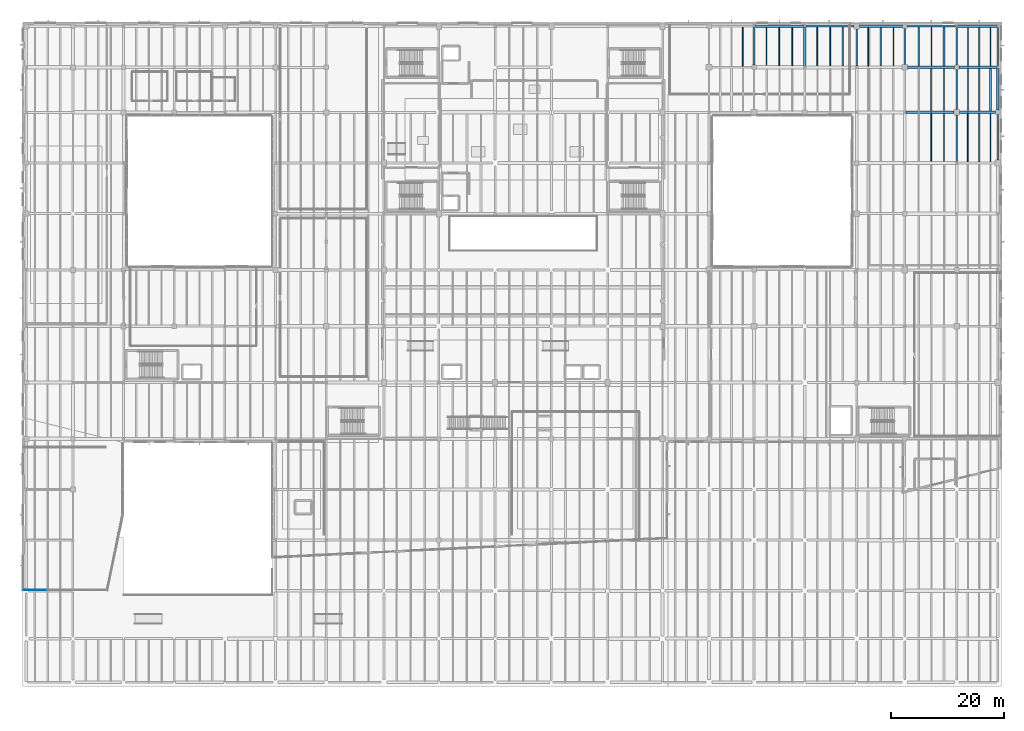
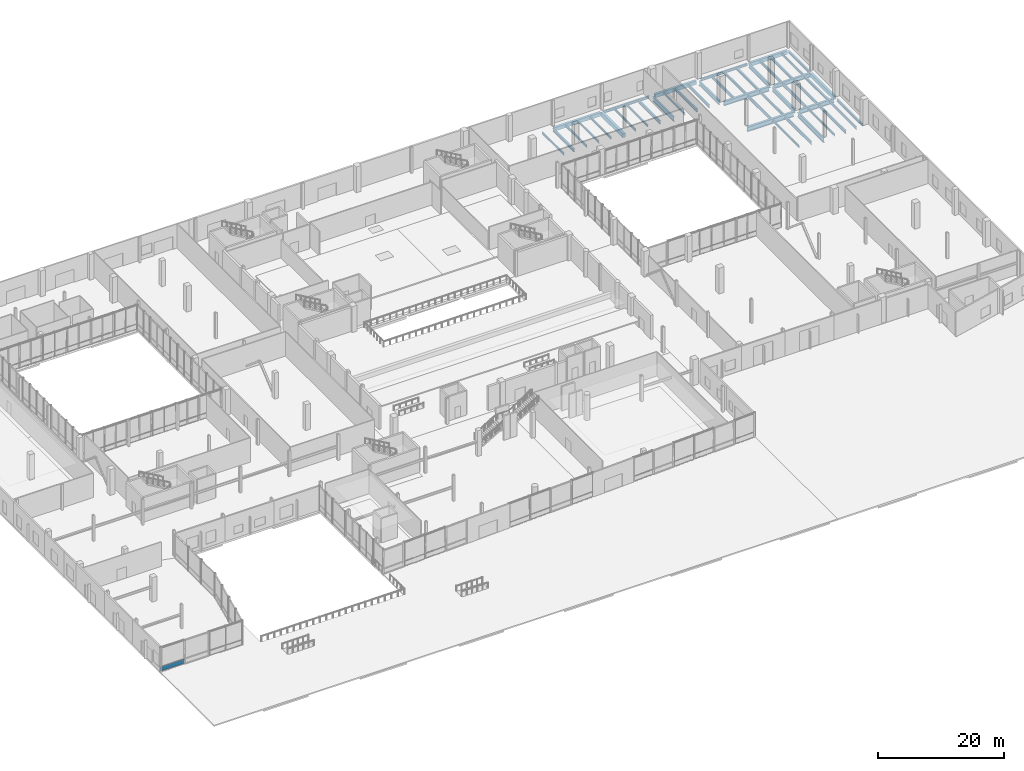
# One storey, part 59 of 88: 45 beams, 1 plate, 1 element without a shape of its own.
"""IFC4 building model written with IfcOpenShell, lengths in metres."""

from ifc_helpers import new_model, si_unit, direction, frame, origin, origin_2d, place, context, subcontext, project, spatial, rectangle, i_section, extrude, material, layer, layer_set, material_profile, profile_set, type_object, element, aggregate, save


model = new_model("IFC4")

# Units and contexts
model_context = context("Model", 3, precision=1e-05, world=origin(), true_north=direction((0.0, 1.0)))
body_context = subcontext(model_context, "Body", "Model", "MODEL_VIEW")
ifc_project = project(units=[si_unit("LENGTHUNIT", "METRE"), si_unit("AREAUNIT", "SQUARE_METRE"), si_unit("VOLUMEUNIT", "CUBIC_METRE"), si_unit("PLANEANGLEUNIT", "RADIAN"), si_unit("MASSUNIT", "GRAM", prefix="KILO")], contexts=[model_context])

# Site, building, storey
site_placement = place(None, origin())
site = spatial("IfcSite", under=ifc_project, at=site_placement, CompositionType="ELEMENT")
building_placement = place(site_placement, origin())
building = spatial("IfcBuilding", under=site, at=building_placement, Name="Trimount Lyric Opera House", CompositionType="ELEMENT")
storey_placement = place(building_placement, origin())
storey = spatial("IfcBuildingStorey", under=building, at=storey_placement, Name="L00", CompositionType="ELEMENT", Elevation=0.0)

# Beams
ifc_material_1 = material(Name="Steel ASTM A992 Grade 50", Category="steel")
ifc_material_profile_1 = material_profile(ifc_material_1, i_section(OverallWidth=0.4189453125, OverallDepth=0.927001953125, WebThickness=0.019287109375, FlangeThickness=0.031982421875, FilletRadius=0.02392578125, at=origin_2d()), Name="W36X231")
ifc_profile_set_1 = profile_set([ifc_material_profile_1], Name="Steel ASTM A992 Grade 50")
beam_type_1 = type_object("IfcBeamType", Name="B-02", PredefinedType="BEAM", material=ifc_profile_set_1)
beam_1_placement = place(storey_placement, frame((156.95947265625, 102.0, -0.843505859375), z_axis=(1.0, 0.0, 0.0), x_axis=(0.0, 1.0, 0.0)))
element("IfcBeam", 1, at=beam_1_placement, inside=storey, type_object=beam_type_1, Name="L00 girder X-0203", PredefinedType="BEAM", context=body_context, shape_type="SweptSolid", body=[
    extrude(i_section(OverallWidth=0.4189453125, OverallDepth=0.927001953125, WebThickness=0.019287109375, FlangeThickness=0.031982421875, FilletRadius=0.02392578125, at=origin_2d()), origin(), (0.0, 0.0, 1.0), 8.54052734375),
])
ifc_material_2 = material(Name="Steel ASTM A992 Grade 50", Category="steel")
ifc_material_profile_2 = material_profile(ifc_material_2, i_section(OverallWidth=0.304931640625, OverallDepth=0.9189453125, WebThickness=0.017333984375, FlangeThickness=0.02783203125, FilletRadius=0.02001953125, at=origin_2d()), Name="W36X170")
ifc_profile_set_2 = profile_set([ifc_material_profile_2], Name="Steel ASTM A992 Grade 50")
beam_type_2 = type_object("IfcBeamType", Name="B-03", PredefinedType="BEAM", material=ifc_profile_set_2)
beam_2_placement = place(storey_placement, frame((148.239990234375, 110.193115234375, -0.839599609375), z_axis=(0.0, 1.0, 0.0), x_axis=(-1.0, 0.0, 0.0)))
element("IfcBeam", 2, at=beam_2_placement, inside=storey, type_object=beam_type_2, Name="L00 girder Y-0426", PredefinedType="BEAM", context=body_context, shape_type="SweptSolid", body=[
    extrude(i_section(OverallWidth=0.304931640625, OverallDepth=0.9189453125, WebThickness=0.017333984375, FlangeThickness=0.02783203125, FilletRadius=0.02001953125, at=origin_2d()), origin(), (0.0, 0.0, 1.0), 6.5869140625),
])
beam_3_placement = place(storey_placement, frame((166.0, 93.193115234375, -0.839599609375), z_axis=(0.0, 1.0, 0.0), x_axis=(-1.0, 0.0, 0.0)))
element("IfcBeam", 3, at=beam_3_placement, inside=storey, type_object=beam_type_2, Name="L00 girder Y-0449", PredefinedType="BEAM", context=body_context, shape_type="SweptSolid", body=[
    extrude(i_section(OverallWidth=0.304931640625, OverallDepth=0.9189453125, WebThickness=0.017333984375, FlangeThickness=0.02783203125, FilletRadius=0.02001953125, at=origin_2d()), origin(), (0.0, 0.0, 1.0), 8.306884765625),
])
ifc_material_3 = material(Name="Steel ASTM A992 Grade 50", Category="steel")
ifc_material_profile_3 = material_profile(ifc_material_3, i_section(OverallWidth=0.40087890625, OverallDepth=0.861083984375, WebThickness=0.019775390625, FlangeThickness=0.032470703125, FilletRadius=0.02001953125, at=origin_2d()), Name="W33X221")
ifc_profile_set_3 = profile_set([ifc_material_profile_3], Name="Steel ASTM A992 Grade 50")
beam_type_3 = type_object("IfcBeamType", Name="B-04", PredefinedType="BEAM", material=ifc_profile_set_3)
beam_4_placement = place(storey_placement, frame((166.5, 102.0, -0.810546875), z_axis=(1.0, 0.0, 0.0), x_axis=(0.0, 1.0, 0.0)))
element("IfcBeam", 4, at=beam_4_placement, inside=storey, type_object=beam_type_3, Name="L00 girder X-0204", PredefinedType="BEAM", context=body_context, shape_type="SweptSolid", body=[
    extrude(i_section(OverallWidth=0.40087890625, OverallDepth=0.861083984375, WebThickness=0.019775390625, FlangeThickness=0.032470703125, FilletRadius=0.02001953125, at=origin_2d()), origin(), (0.0, 0.0, 1.0), 6.3798828125),
])
beam_5_placement = place(storey_placement, frame((157.260009765625, 110.0, -0.810546875), z_axis=(1.0, 0.0, 0.0), x_axis=(0.0, 1.0, 0.0)))
element("IfcBeam", 5, at=beam_5_placement, inside=storey, type_object=beam_type_3, Name="L00 girder X-0216", PredefinedType="BEAM", context=body_context, shape_type="SweptSolid", body=[
    extrude(i_section(OverallWidth=0.40087890625, OverallDepth=0.861083984375, WebThickness=0.019775390625, FlangeThickness=0.032470703125, FilletRadius=0.02001953125, at=origin_2d()), origin(), (0.0, 0.0, 1.0), 8.340087890625),
])
ifc_material_4 = material(Name="Steel ASTM A992 Grade 50", Category="steel")
ifc_material_profile_4 = material_profile(ifc_material_4, i_section(OverallWidth=0.2919921875, OverallDepth=0.845947265625, WebThickness=0.015380859375, FlangeThickness=0.0244140625, FilletRadius=0.01806640625, at=origin_2d()), Name="W33X141")
ifc_profile_set_4 = profile_set([ifc_material_profile_4], Name="Steel ASTM A992 Grade 50")
beam_type_4 = type_object("IfcBeamType", Name="B-05", PredefinedType="BEAM", material=ifc_profile_set_4)
beam_6_placement = place(storey_placement, frame((156.760009765625, 110.5, -0.802978515625), z_axis=(0.0, 1.0, 0.0), x_axis=(-1.0, 0.0, 0.0)))
element("IfcBeam", 6, at=beam_6_placement, inside=storey, type_object=beam_type_4, Name="L00 girder Y-0438", PredefinedType="BEAM", context=body_context, shape_type="SweptSolid", body=[
    extrude(i_section(OverallWidth=0.2919921875, OverallDepth=0.845947265625, WebThickness=0.015380859375, FlangeThickness=0.0244140625, FilletRadius=0.01806640625, at=origin_2d()), origin(), (0.0, 0.0, 1.0), 6.3798828125),
])
beam_7_placement = place(storey_placement, frame((166.0, 102.5, -0.802978515625), z_axis=(0.0, 1.0, 0.0), x_axis=(-1.0, 0.0, 0.0)))
element("IfcBeam", 7, at=beam_7_placement, inside=storey, type_object=beam_type_4, Name="L00 girder Y-0450", PredefinedType="BEAM", context=body_context, shape_type="SweptSolid", body=[
    extrude(i_section(OverallWidth=0.2919921875, OverallDepth=0.845947265625, WebThickness=0.015380859375, FlangeThickness=0.0244140625, FilletRadius=0.01806640625, at=origin_2d()), origin(), (0.0, 0.0, 1.0), 7.10009765625),
])
ifc_material_5 = material(Name="Steel ASTM A992 Grade 50", Category="steel")
ifc_material_profile_5 = material_profile(ifc_material_5, i_section(OverallWidth=0.382080078125, OverallDepth=0.779052734375, WebThickness=0.01806640625, FlangeThickness=0.0302734375, FilletRadius=0.01904296875, at=origin_2d()), Name="W30X191")
ifc_profile_set_5 = profile_set([ifc_material_profile_5], Name="Steel ASTM A992 Grade 50")
beam_type_5 = type_object("IfcBeamType", Name="B-06", PredefinedType="BEAM", material=ifc_profile_set_5)
beam_8_placement = place(storey_placement, frame((166.39990234375, 110.0, -0.76953125), z_axis=(1.0, 0.0, 0.0), x_axis=(0.0, 1.0, 0.0)))
element("IfcBeam", 8, at=beam_8_placement, inside=storey, type_object=beam_type_5, Name="L00 girder X-0217", PredefinedType="BEAM", context=body_context, shape_type="SweptSolid", body=[
    extrude(i_section(OverallWidth=0.382080078125, OverallDepth=0.779052734375, WebThickness=0.01806640625, FlangeThickness=0.0302734375, FilletRadius=0.01904296875, at=origin_2d()), origin(), (0.0, 0.0, 1.0), 6.693603515625),
])
ifc_material_6 = material(Name="Steel ASTM A992 Grade 50", Category="steel")
ifc_material_profile_6 = material_profile(ifc_material_6, i_section(OverallWidth=0.26708984375, OverallDepth=0.761962890625, WebThickness=0.014404296875, FlangeThickness=0.021484375, FilletRadius=0.01708984375, at=origin_2d()), Name="W30X116")
ifc_profile_set_6 = profile_set([ifc_material_profile_6], Name="Steel ASTM A992 Grade 50")
beam_type_6 = type_object("IfcBeamType", Name="B-07", PredefinedType="BEAM", material=ifc_profile_set_6)
beam_9_placement = place(storey_placement, frame((166.0, 110.39990234375, -0.760986328125), z_axis=(0.0, 1.0, 0.0), x_axis=(-1.0, 0.0, 0.0)))
element("IfcBeam", 9, at=beam_9_placement, inside=storey, type_object=beam_type_6, Name="L00 girder Y-0451", PredefinedType="BEAM", context=body_context, shape_type="SweptSolid", body=[
    extrude(i_section(OverallWidth=0.26708984375, OverallDepth=0.761962890625, WebThickness=0.014404296875, FlangeThickness=0.021484375, FilletRadius=0.01708984375, at=origin_2d()), origin(), (0.0, 0.0, 1.0), 6.696044921875),
])
ifc_material_7 = material(Name="Steel ASTM A992 Grade 50", Category="steel")
ifc_material_profile_7 = material_profile(ifc_material_7, i_section(OverallWidth=0.31201171875, OverallDepth=0.5458984375, WebThickness=0.013916015625, FlangeThickness=0.022216796875, FilletRadius=0.014892578125, at=origin_2d()), Name="W21X111")
ifc_profile_set_7 = profile_set([ifc_material_profile_7], Name="Steel ASTM A992 Grade 50")
beam_type_7 = type_object("IfcBeamType", Name="B-12", PredefinedType="BEAM", material=ifc_profile_set_7)
beam_10_placement = place(storey_placement, frame((130.0, 110.39990234375, -0.653076171875), z_axis=(0.0, 1.0, 0.0), x_axis=(-1.0, 0.0, 0.0)))
element("IfcBeam", 10, at=beam_10_placement, inside=storey, type_object=beam_type_7, Name="L00 girder Y-0403", PredefinedType="BEAM", context=body_context, shape_type="SweptSolid", body=[
    extrude(i_section(OverallWidth=0.31201171875, OverallDepth=0.5458984375, WebThickness=0.013916015625, FlangeThickness=0.022216796875, FilletRadius=0.014892578125, at=origin_2d()), origin(), (0.0, 0.0, 1.0), 6.696044921875),
])
ifc_material_8 = material(Name="Concrete C40/50", Category="concrete")
ifc_material_profile_8 = material_profile(ifc_material_8, rectangle(XDim=0.5, YDim=0.800048828125, at=origin_2d()), Name="RC500X800")
ifc_profile_set_8 = profile_set([ifc_material_profile_8], Name="Concrete C40/50")
beam_type_8 = type_object("IfcBeamType", Name="B-15", PredefinedType="BEAM", material=ifc_profile_set_8)
beam_11_placement = place(storey_placement, frame((139.0, 110.18408203125, -0.780029296875), z_axis=(0.0, 1.0, 0.0), x_axis=(-1.0, 0.0, 0.0)))
element("IfcBeam", 11, at=beam_11_placement, inside=storey, type_object=beam_type_8, Name="L00 girder Y-0413", PredefinedType="BEAM", context=body_context, shape_type="SweptSolid", body=[
    extrude(rectangle(XDim=0.5, YDim=0.800048828125, at=origin_2d()), origin(), (0.0, 0.0, 1.0), 6.90283203125),
])
ifc_material_9 = material(Name="Steel ASTM A992 Grade 50", Category="steel")
ifc_material_profile_9 = material_profile(ifc_material_9, i_section(OverallWidth=0.22802734375, OverallDepth=0.60205078125, WebThickness=0.010498046875, FlangeThickness=0.014892578125, FilletRadius=0.012939453125, at=origin_2d()), Name="W24X68")
ifc_profile_set_9 = profile_set([ifc_material_profile_9], Name="Steel ASTM A992 Grade 50")
beam_type_9 = type_object("IfcBeamType", Name="J-01", PredefinedType="BEAM", material=ifc_profile_set_9)
beam_12_placement = place(storey_placement, frame((145.75, 110.27099609375, -0.680908203125), z_axis=(0.0, 1.0, 0.0), x_axis=(-1.0, 0.0, 0.0)))
element("IfcBeam", 12, at=beam_12_placement, inside=storey, type_object=beam_type_9, Name="L00 composite floor joist 0457", PredefinedType="BEAM", context=body_context, shape_type="SweptSolid", body=[
    extrude(i_section(OverallWidth=0.22802734375, OverallDepth=0.60205078125, WebThickness=0.010498046875, FlangeThickness=0.014892578125, FilletRadius=0.012939453125, at=origin_2d()), origin(), (0.0, 0.0, 1.0), 6.8720703125),
])
beam_13_placement = place(storey_placement, frame((152.5, 110.20556640625, -0.680908203125), z_axis=(0.0, 1.0, 0.0), x_axis=(-1.0, 0.0, 0.0)))
element("IfcBeam", 13, at=beam_13_placement, inside=storey, type_object=beam_type_9, Name="L00 composite floor joist 0492", PredefinedType="BEAM", context=body_context, shape_type="SweptSolid", body=[
    extrude(i_section(OverallWidth=0.22802734375, OverallDepth=0.60205078125, WebThickness=0.010498046875, FlangeThickness=0.014892578125, FilletRadius=0.012939453125, at=origin_2d()), origin(), (0.0, 0.0, 1.0), 6.853515625),
])
beam_14_placement = place(storey_placement, frame((163.75, 93.27099609375, -0.680908203125), z_axis=(0.0, 1.0, 0.0), x_axis=(-1.0, 0.0, 0.0)))
element("IfcBeam", 14, at=beam_14_placement, inside=storey, type_object=beam_type_9, Name="L00 composite floor joist 0526", PredefinedType="BEAM", context=body_context, shape_type="SweptSolid", body=[
    extrude(i_section(OverallWidth=0.22802734375, OverallDepth=0.60205078125, WebThickness=0.010498046875, FlangeThickness=0.014892578125, FilletRadius=0.012939453125, at=origin_2d()), origin(), (0.0, 0.0, 1.0), 8.5234375),
])
beam_15_placement = place(storey_placement, frame((161.5, 102.20556640625, -0.680908203125), z_axis=(0.0, 1.0, 0.0), x_axis=(-1.0, 0.0, 0.0)))
element("IfcBeam", 15, at=beam_15_placement, inside=storey, type_object=beam_type_9, Name="L00 composite floor joist 0528", PredefinedType="BEAM", context=body_context, shape_type="SweptSolid", body=[
    extrude(i_section(OverallWidth=0.22802734375, OverallDepth=0.60205078125, WebThickness=0.010498046875, FlangeThickness=0.014892578125, FilletRadius=0.012939453125, at=origin_2d()), origin(), (0.0, 0.0, 1.0), 7.597900390625),
])
beam_16_placement = place(storey_placement, frame((159.25, 110.196533203125, -0.680908203125), z_axis=(0.0, 1.0, 0.0), x_axis=(-1.0, 0.0, 0.0)))
element("IfcBeam", 16, at=beam_16_placement, inside=storey, type_object=beam_type_9, Name="L00 composite floor joist 0530", PredefinedType="BEAM", context=body_context, shape_type="SweptSolid", body=[
    extrude(i_section(OverallWidth=0.22802734375, OverallDepth=0.60205078125, WebThickness=0.010498046875, FlangeThickness=0.014892578125, FilletRadius=0.012939453125, at=origin_2d()), origin(), (0.0, 0.0, 1.0), 6.946533203125),
])
beam_17_placement = place(storey_placement, frame((170.0, 93.20556640625, -0.680908203125), z_axis=(0.0, 1.0, 0.0), x_axis=(-1.0, 0.0, 0.0)))
element("IfcBeam", 17, at=beam_17_placement, inside=storey, type_object=beam_type_9, Name="L00 composite floor joist 0564", PredefinedType="BEAM", context=body_context, shape_type="SweptSolid", body=[
    extrude(i_section(OverallWidth=0.22802734375, OverallDepth=0.60205078125, WebThickness=0.010498046875, FlangeThickness=0.014892578125, FilletRadius=0.012939453125, at=origin_2d()), origin(), (0.0, 0.0, 1.0), 8.597900390625),
])
beam_18_placement = place(storey_placement, frame((168.0, 102.196533203125, -0.680908203125), z_axis=(0.0, 1.0, 0.0), x_axis=(-1.0, 0.0, 0.0)))
element("IfcBeam", 18, at=beam_18_placement, inside=storey, type_object=beam_type_9, Name="L00 composite floor joist 0566", PredefinedType="BEAM", context=body_context, shape_type="SweptSolid", body=[
    extrude(i_section(OverallWidth=0.22802734375, OverallDepth=0.60205078125, WebThickness=0.010498046875, FlangeThickness=0.014892578125, FilletRadius=0.012939453125, at=origin_2d()), origin(), (0.0, 0.0, 1.0), 7.616455078125),
])
ifc_material_10 = material(Name="Steel ASTM A992 Grade 50", Category="steel")
ifc_material_profile_10 = material_profile(ifc_material_10, i_section(OverallWidth=0.2099609375, OverallDepth=0.532958984375, WebThickness=0.01025390625, FlangeThickness=0.015625, FilletRadius=0.012939453125, at=origin_2d()), Name="W21X62")
ifc_profile_set_10 = profile_set([ifc_material_profile_10], Name="Steel ASTM A992 Grade 50")
beam_type_10 = type_object("IfcBeamType", Name="J-02", PredefinedType="BEAM", material=ifc_profile_set_10)
beam_19_placement = place(storey_placement, frame((154.75, 110.20556640625, -0.646484375), z_axis=(0.0, 1.0, 0.0), x_axis=(-1.0, 0.0, 0.0)))
element("IfcBeam", 19, at=beam_19_placement, inside=storey, type_object=beam_type_10, Name="L00 composite floor joist 0493", PredefinedType="BEAM", context=body_context, shape_type="SweptSolid", body=[
    extrude(i_section(OverallWidth=0.2099609375, OverallDepth=0.532958984375, WebThickness=0.01025390625, FlangeThickness=0.015625, FilletRadius=0.012939453125, at=origin_2d()), origin(), (0.0, 0.0, 1.0), 6.853515625),
])
beam_20_placement = place(storey_placement, frame((163.75, 102.20556640625, -0.646484375), z_axis=(0.0, 1.0, 0.0), x_axis=(-1.0, 0.0, 0.0)))
element("IfcBeam", 20, at=beam_20_placement, inside=storey, type_object=beam_type_10, Name="L00 composite floor joist 0529", PredefinedType="BEAM", context=body_context, shape_type="SweptSolid", body=[
    extrude(i_section(OverallWidth=0.2099609375, OverallDepth=0.532958984375, WebThickness=0.01025390625, FlangeThickness=0.015625, FilletRadius=0.012939453125, at=origin_2d()), origin(), (0.0, 0.0, 1.0), 7.597900390625),
])
beam_21_placement = place(storey_placement, frame((161.5, 110.196533203125, -0.646484375), z_axis=(0.0, 1.0, 0.0), x_axis=(-1.0, 0.0, 0.0)))
element("IfcBeam", 21, at=beam_21_placement, inside=storey, type_object=beam_type_10, Name="L00 composite floor joist 0531", PredefinedType="BEAM", context=body_context, shape_type="SweptSolid", body=[
    extrude(i_section(OverallWidth=0.2099609375, OverallDepth=0.532958984375, WebThickness=0.01025390625, FlangeThickness=0.015625, FilletRadius=0.012939453125, at=origin_2d()), origin(), (0.0, 0.0, 1.0), 6.946533203125),
])
beam_22_placement = place(storey_placement, frame((172.0, 93.20556640625, -0.646484375), z_axis=(0.0, 1.0, 0.0), x_axis=(-1.0, 0.0, 0.0)))
element("IfcBeam", 22, at=beam_22_placement, inside=storey, type_object=beam_type_10, Name="L00 composite floor joist 0565", PredefinedType="BEAM", context=body_context, shape_type="SweptSolid", body=[
    extrude(i_section(OverallWidth=0.2099609375, OverallDepth=0.532958984375, WebThickness=0.01025390625, FlangeThickness=0.015625, FilletRadius=0.012939453125, at=origin_2d()), origin(), (0.0, 0.0, 1.0), 8.597900390625),
])
beam_23_placement = place(storey_placement, frame((170.0, 102.196533203125, -0.646484375), z_axis=(0.0, 1.0, 0.0), x_axis=(-1.0, 0.0, 0.0)))
element("IfcBeam", 23, at=beam_23_placement, inside=storey, type_object=beam_type_10, Name="L00 composite floor joist 0567", PredefinedType="BEAM", context=body_context, shape_type="SweptSolid", body=[
    extrude(i_section(OverallWidth=0.2099609375, OverallDepth=0.532958984375, WebThickness=0.01025390625, FlangeThickness=0.015625, FilletRadius=0.012939453125, at=origin_2d()), origin(), (0.0, 0.0, 1.0), 7.616455078125),
])
beam_24_placement = place(storey_placement, frame((168.0, 110.18701171875, -0.646484375), z_axis=(0.0, 1.0, 0.0), x_axis=(-1.0, 0.0, 0.0)))
element("IfcBeam", 24, at=beam_24_placement, inside=storey, type_object=beam_type_10, Name="L00 composite floor joist 0569", PredefinedType="BEAM", context=body_context, shape_type="SweptSolid", body=[
    extrude(i_section(OverallWidth=0.2099609375, OverallDepth=0.532958984375, WebThickness=0.01025390625, FlangeThickness=0.015625, FilletRadius=0.012939453125, at=origin_2d()), origin(), (0.0, 0.0, 1.0), 6.8720703125),
])
ifc_material_11 = material(Name="Steel ASTM A992 Grade 50", Category="steel")
ifc_material_profile_11 = material_profile(ifc_material_11, i_section(OverallWidth=0.281982421875, OverallDepth=0.467041015625, WebThickness=0.01220703125, FlangeThickness=0.01953125, FilletRadius=0.012939453125, at=origin_2d()), Name="W18X86")
ifc_profile_set_11 = profile_set([ifc_material_profile_11], Name="Steel ASTM A992 Grade 50")
beam_type_11 = type_object("IfcBeamType", Name="J-03", PredefinedType="BEAM", material=ifc_profile_set_11)
beam_25_placement = place(storey_placement, frame((163.75, 110.196533203125, -0.613525390625), z_axis=(0.0, 1.0, 0.0), x_axis=(-1.0, 0.0, 0.0)))
element("IfcBeam", 25, at=beam_25_placement, inside=storey, type_object=beam_type_11, Name="L00 composite floor joist 0532", PredefinedType="BEAM", context=body_context, shape_type="SweptSolid", body=[
    extrude(i_section(OverallWidth=0.281982421875, OverallDepth=0.467041015625, WebThickness=0.01220703125, FlangeThickness=0.01953125, FilletRadius=0.012939453125, at=origin_2d()), origin(), (0.0, 0.0, 1.0), 6.946533203125),
])
beam_26_placement = place(storey_placement, frame((172.0, 102.196533203125, -0.613525390625), z_axis=(0.0, 1.0, 0.0), x_axis=(-1.0, 0.0, 0.0)))
element("IfcBeam", 26, at=beam_26_placement, inside=storey, type_object=beam_type_11, Name="L00 composite floor joist 0568", PredefinedType="BEAM", context=body_context, shape_type="SweptSolid", body=[
    extrude(i_section(OverallWidth=0.281982421875, OverallDepth=0.467041015625, WebThickness=0.01220703125, FlangeThickness=0.01953125, FilletRadius=0.012939453125, at=origin_2d()), origin(), (0.0, 0.0, 1.0), 7.616455078125),
])
beam_27_placement = place(storey_placement, frame((170.0, 110.18701171875, -0.613525390625), z_axis=(0.0, 1.0, 0.0), x_axis=(-1.0, 0.0, 0.0)))
element("IfcBeam", 27, at=beam_27_placement, inside=storey, type_object=beam_type_11, Name="L00 composite floor joist 0570", PredefinedType="BEAM", context=body_context, shape_type="SweptSolid", body=[
    extrude(i_section(OverallWidth=0.281982421875, OverallDepth=0.467041015625, WebThickness=0.01220703125, FlangeThickness=0.01953125, FilletRadius=0.012939453125, at=origin_2d()), origin(), (0.0, 0.0, 1.0), 6.8720703125),
])
ifc_material_12 = material(Name="Steel ASTM A992 Grade 50", Category="steel")
ifc_material_profile_12 = material_profile(ifc_material_12, i_section(OverallWidth=0.19091796875, OverallDepth=0.45703125, WebThickness=0.009033203125, FlangeThickness=0.014404296875, FilletRadius=0.010986328125, at=origin_2d()), Name="W18X50")
ifc_profile_set_12 = profile_set([ifc_material_profile_12], Name="Steel ASTM A992 Grade 50")
beam_type_12 = type_object("IfcBeamType", Name="J-04", PredefinedType="BEAM", material=ifc_profile_set_12)
beam_28_placement = place(storey_placement, frame((132.25, 110.2958984375, -0.6083984375), z_axis=(0.0, 1.0, 0.0), x_axis=(-1.0, 0.0, 0.0)))
element("IfcBeam", 28, at=beam_28_placement, inside=storey, type_object=beam_type_12, Name="L00 composite floor joist 0426", PredefinedType="BEAM", context=body_context, shape_type="SweptSolid", body=[
    extrude(i_section(OverallWidth=0.19091796875, OverallDepth=0.45703125, WebThickness=0.009033203125, FlangeThickness=0.014404296875, FilletRadius=0.010986328125, at=origin_2d()), origin(), (0.0, 0.0, 1.0), 6.76318359375),
])
beam_29_placement = place(storey_placement, frame((172.0, 110.18701171875, -0.6083984375), z_axis=(0.0, 1.0, 0.0), x_axis=(-1.0, 0.0, 0.0)))
element("IfcBeam", 29, at=beam_29_placement, inside=storey, type_object=beam_type_12, Name="L00 composite floor joist 0571", PredefinedType="BEAM", context=body_context, shape_type="SweptSolid", body=[
    extrude(i_section(OverallWidth=0.19091796875, OverallDepth=0.45703125, WebThickness=0.009033203125, FlangeThickness=0.014404296875, FilletRadius=0.010986328125, at=origin_2d()), origin(), (0.0, 0.0, 1.0), 6.8720703125),
])
ifc_material_13 = material(Name="Steel ASTM A992 Grade 50", Category="steel")
ifc_material_profile_13 = material_profile(ifc_material_13, i_section(OverallWidth=0.180908203125, OverallDepth=0.4169921875, WebThickness=0.010986328125, FlangeThickness=0.018310546875, FilletRadius=0.010986328125, at=origin_2d()), Name="W16X57")
ifc_profile_set_13 = profile_set([ifc_material_profile_13], Name="Steel ASTM A992 Grade 50")
beam_type_13 = type_object("IfcBeamType", Name="J-05", PredefinedType="BEAM", material=ifc_profile_set_13)
beam_30_placement = place(storey_placement, frame((128.0, 110.159912109375, -0.58837890625), z_axis=(0.0, 1.0, 0.0), x_axis=(-1.0, 0.0, 0.0)))
element("IfcBeam", 30, at=beam_30_placement, inside=storey, type_object=beam_type_13, Name="L00 composite floor joist 0398", PredefinedType="BEAM", context=body_context, shape_type="SweptSolid", body=[
    extrude(i_section(OverallWidth=0.180908203125, OverallDepth=0.4169921875, WebThickness=0.010986328125, FlangeThickness=0.018310546875, FilletRadius=0.010986328125, at=origin_2d()), origin(), (0.0, 0.0, 1.0), 6.983154296875),
])
beam_31_placement = place(storey_placement, frame((134.5, 110.2958984375, -0.58837890625), z_axis=(0.0, 1.0, 0.0), x_axis=(-1.0, 0.0, 0.0)))
element("IfcBeam", 31, at=beam_31_placement, inside=storey, type_object=beam_type_13, Name="L00 composite floor joist 0427", PredefinedType="BEAM", context=body_context, shape_type="SweptSolid", body=[
    extrude(i_section(OverallWidth=0.180908203125, OverallDepth=0.4169921875, WebThickness=0.010986328125, FlangeThickness=0.018310546875, FilletRadius=0.010986328125, at=origin_2d()), origin(), (0.0, 0.0, 1.0), 6.76318359375),
])
beam_32_placement = place(storey_placement, frame((141.25, 110.27099609375, -0.58837890625), z_axis=(0.0, 1.0, 0.0), x_axis=(-1.0, 0.0, 0.0)))
element("IfcBeam", 32, at=beam_32_placement, inside=storey, type_object=beam_type_13, Name="L00 composite floor joist 0455", PredefinedType="BEAM", context=body_context, shape_type="SweptSolid", body=[
    extrude(i_section(OverallWidth=0.180908203125, OverallDepth=0.4169921875, WebThickness=0.010986328125, FlangeThickness=0.018310546875, FilletRadius=0.010986328125, at=origin_2d()), origin(), (0.0, 0.0, 1.0), 6.8720703125),
])
ifc_material_14 = material(Name="Steel ASTM A992 Grade 50", Category="steel")
ifc_material_profile_14 = material_profile(ifc_material_14, i_section(OverallWidth=0.177978515625, OverallDepth=0.404052734375, WebThickness=0.007568359375, FlangeThickness=0.010986328125, FilletRadius=0.010009765625, at=origin_2d()), Name="W16X36")
ifc_profile_set_14 = profile_set([ifc_material_profile_14], Name="Steel ASTM A992 Grade 50")
beam_type_14 = type_object("IfcBeamType", Name="J-06", PredefinedType="BEAM", material=ifc_profile_set_14)
beam_33_placement = place(storey_placement, frame((136.75, 110.2958984375, -0.58203125), z_axis=(0.0, 1.0, 0.0), x_axis=(-1.0, 0.0, 0.0)))
element("IfcBeam", 33, at=beam_33_placement, inside=storey, type_object=beam_type_14, Name="L00 composite floor joist 0428", PredefinedType="BEAM", context=body_context, shape_type="SweptSolid", body=[
    extrude(i_section(OverallWidth=0.177978515625, OverallDepth=0.404052734375, WebThickness=0.007568359375, FlangeThickness=0.010986328125, FilletRadius=0.010009765625, at=origin_2d()), origin(), (0.0, 0.0, 1.0), 6.76318359375),
])
beam_34_placement = place(storey_placement, frame((143.5, 110.27099609375, -0.58203125), z_axis=(0.0, 1.0, 0.0), x_axis=(-1.0, 0.0, 0.0)))
element("IfcBeam", 34, at=beam_34_placement, inside=storey, type_object=beam_type_14, Name="L00 composite floor joist 0456", PredefinedType="BEAM", context=body_context, shape_type="SweptSolid", body=[
    extrude(i_section(OverallWidth=0.177978515625, OverallDepth=0.404052734375, WebThickness=0.007568359375, FlangeThickness=0.010986328125, FilletRadius=0.010009765625, at=origin_2d()), origin(), (0.0, 0.0, 1.0), 6.8720703125),
])
beam_35_placement = place(storey_placement, frame((150.25, 110.20556640625, -0.58203125), z_axis=(0.0, 1.0, 0.0), x_axis=(-1.0, 0.0, 0.0)))
element("IfcBeam", 35, at=beam_35_placement, inside=storey, type_object=beam_type_14, Name="L00 composite floor joist 0491", PredefinedType="BEAM", context=body_context, shape_type="SweptSolid", body=[
    extrude(i_section(OverallWidth=0.177978515625, OverallDepth=0.404052734375, WebThickness=0.007568359375, FlangeThickness=0.010986328125, FilletRadius=0.010009765625, at=origin_2d()), origin(), (0.0, 0.0, 1.0), 6.853515625),
])
beam_36_placement = place(storey_placement, frame((161.5, 93.27099609375, -0.58203125), z_axis=(0.0, 1.0, 0.0), x_axis=(-1.0, 0.0, 0.0)))
element("IfcBeam", 36, at=beam_36_placement, inside=storey, type_object=beam_type_14, Name="L00 composite floor joist 0525", PredefinedType="BEAM", context=body_context, shape_type="SweptSolid", body=[
    extrude(i_section(OverallWidth=0.177978515625, OverallDepth=0.404052734375, WebThickness=0.007568359375, FlangeThickness=0.010986328125, FilletRadius=0.010009765625, at=origin_2d()), origin(), (0.0, 0.0, 1.0), 8.5234375),
])
beam_37_placement = place(storey_placement, frame((168.0, 93.20556640625, -0.58203125), z_axis=(0.0, 1.0, 0.0), x_axis=(-1.0, 0.0, 0.0)))
element("IfcBeam", 37, at=beam_37_placement, inside=storey, type_object=beam_type_14, Name="L00 composite floor joist 0563", PredefinedType="BEAM", context=body_context, shape_type="SweptSolid", body=[
    extrude(i_section(OverallWidth=0.177978515625, OverallDepth=0.404052734375, WebThickness=0.007568359375, FlangeThickness=0.010986328125, FilletRadius=0.010009765625, at=origin_2d()), origin(), (0.0, 0.0, 1.0), 8.597900390625),
])
ifc_material_15 = material(Name="Steel ASTM A992 Grade 50", Category="steel")
ifc_material_profile_15 = material_profile(ifc_material_15, i_section(OverallWidth=0.281982421875, OverallDepth=0.467041015625, WebThickness=0.01220703125, FlangeThickness=0.01953125, FilletRadius=0.012939453125, at=origin_2d()), Name="W18X86")
ifc_profile_set_15 = profile_set([ifc_material_profile_15], Name="Steel ASTM A992 Grade 50")
beam_type_15 = type_object("IfcBeamType", Name="SP-01", PredefinedType="SPANDREL", material=ifc_profile_set_15)
beam_38_placement = place(storey_placement, frame((139.199462890625, 117.280029296875, -0.613525390625), z_axis=(1.0, 0.0, 0.0), x_axis=(0.0, 1.0, 0.0)))
element("IfcBeam", 38, at=beam_38_placement, inside=storey, type_object=beam_type_15, Name="L00 girder X-0233", PredefinedType="SPANDREL", context=body_context, shape_type="SweptSolid", body=[
    extrude(i_section(OverallWidth=0.281982421875, OverallDepth=0.467041015625, WebThickness=0.01220703125, FlangeThickness=0.01953125, FilletRadius=0.012939453125, at=origin_2d()), origin(), (0.0, 0.0, 1.0), 8.54052734375),
])
beam_39_placement = place(storey_placement, frame((157.159912109375, 117.280029296875, -0.613525390625), z_axis=(1.0, 0.0, 0.0), x_axis=(0.0, 1.0, 0.0)))
element("IfcBeam", 39, at=beam_39_placement, inside=storey, type_object=beam_type_15, Name="L00 girder X-0235", PredefinedType="SPANDREL", context=body_context, shape_type="SweptSolid", body=[
    extrude(i_section(OverallWidth=0.281982421875, OverallDepth=0.467041015625, WebThickness=0.01220703125, FlangeThickness=0.01953125, FilletRadius=0.012939453125, at=origin_2d()), origin(), (0.0, 0.0, 1.0), 8.653564453125),
])
beam_40_placement = place(storey_placement, frame((173.280029296875, 93.5, -0.613525390625), z_axis=(0.0, 1.0, 0.0), x_axis=(-1.0, 0.0, 0.0)))
element("IfcBeam", 40, at=beam_40_placement, inside=storey, type_object=beam_type_15, Name="L00 girder Y-0462", PredefinedType="SPANDREL", context=body_context, shape_type="SweptSolid", body=[
    extrude(i_section(OverallWidth=0.281982421875, OverallDepth=0.467041015625, WebThickness=0.01220703125, FlangeThickness=0.01953125, FilletRadius=0.012939453125, at=origin_2d()), origin(), (0.0, 0.0, 1.0), 8.10009765625),
])
beam_41_placement = place(storey_placement, frame((173.280029296875, 110.18408203125, -0.613525390625), z_axis=(0.0, 1.0, 0.0), x_axis=(-1.0, 0.0, 0.0)))
element("IfcBeam", 41, at=beam_41_placement, inside=storey, type_object=beam_type_15, Name="L00 girder Y-0464", PredefinedType="SPANDREL", context=body_context, shape_type="SweptSolid", body=[
    extrude(i_section(OverallWidth=0.281982421875, OverallDepth=0.467041015625, WebThickness=0.01220703125, FlangeThickness=0.01953125, FilletRadius=0.012939453125, at=origin_2d()), origin(), (0.0, 0.0, 1.0), 6.90283203125),
])
ifc_material_16 = material(Name="Concrete C40/50", Category="concrete")
ifc_material_profile_16 = material_profile(ifc_material_16, rectangle(XDim=0.449951171875, YDim=0.699951171875, at=origin_2d()), Name="RC450X700")
ifc_profile_set_16 = profile_set([ifc_material_profile_16], Name="Concrete C40/50")
beam_type_16 = type_object("IfcBeamType", Name="SP-02", PredefinedType="SPANDREL", material=ifc_profile_set_16)
beam_42_placement = place(storey_placement, frame((130.1865234375, 117.280029296875, -0.72998046875), z_axis=(1.0, 0.0, 0.0), x_axis=(0.0, 1.0, 0.0)))
element("IfcBeam", 42, at=beam_42_placement, inside=storey, type_object=beam_type_16, Name="L00 girder X-0232", PredefinedType="SPANDREL", context=body_context, shape_type="SweptSolid", body=[
    extrude(rectangle(XDim=0.449951171875, YDim=0.699951171875, at=origin_2d()), origin(), (0.0, 0.0, 1.0), 8.614013671875),
])
beam_43_placement = place(storey_placement, frame((148.739990234375, 117.280029296875, -0.72998046875), z_axis=(1.0, 0.0, 0.0), x_axis=(0.0, 1.0, 0.0)))
element("IfcBeam", 43, at=beam_43_placement, inside=storey, type_object=beam_type_16, Name="L00 girder X-0234", PredefinedType="SPANDREL", context=body_context, shape_type="SweptSolid", body=[
    extrude(rectangle(XDim=0.449951171875, YDim=0.699951171875, at=origin_2d()), origin(), (0.0, 0.0, 1.0), 7.6201171875),
])
beam_44_placement = place(storey_placement, frame((166.1865234375, 117.280029296875, -0.72998046875), z_axis=(1.0, 0.0, 0.0), x_axis=(0.0, 1.0, 0.0)))
element("IfcBeam", 44, at=beam_44_placement, inside=storey, type_object=beam_type_16, Name="L00 girder X-0236", PredefinedType="SPANDREL", context=body_context, shape_type="SweptSolid", body=[
    extrude(rectangle(XDim=0.449951171875, YDim=0.699951171875, at=origin_2d()), origin(), (0.0, 0.0, 1.0), 6.89404296875),
])
beam_45_placement = place(storey_placement, frame((173.280029296875, 102.39990234375, -0.72998046875), z_axis=(0.0, 1.0, 0.0), x_axis=(-1.0, 0.0, 0.0)))
element("IfcBeam", 45, at=beam_45_placement, inside=storey, type_object=beam_type_16, Name="L00 girder Y-0463", PredefinedType="SPANDREL", context=body_context, shape_type="SweptSolid", body=[
    extrude(rectangle(XDim=0.449951171875, YDim=0.699951171875, at=origin_2d()), origin(), (0.0, 0.0, 1.0), 7.416015625),
])

# Curtain wall, plate
ifc_material_17 = material(Name="Thermally Broken Aluminium and Low-E Glass", Category="aluminium")
curtain_wall_type = type_object("IfcCurtainWallType", Name="CW-04", PredefinedType="NOTDEFINED", material=ifc_material_17)
curtain_wall_placement = place(storey_placement, origin())
curtain_wall = element("IfcCurtainWall", 46, at=curtain_wall_placement, inside=storey, type_object=curtain_wall_type, Name="L00 curtain wall 013", PredefinedType="NOTDEFINED")
ifc_material_18 = material(Name="Double Low-E Insulated Vision Glass", Category="glass")
ifc_layer = layer(ifc_material_18, 0.028076171875)
ifc_layer_set = layer_set([ifc_layer], Name="CWP-03")
plate_type = type_object("IfcPlateType", Name="CWP-03", PredefinedType="CURTAIN_PANEL", material=ifc_layer_set)
plate_placement = place(storey_placement, frame((2.205078125, 17.139892578125, 0.13525390625), z_axis=(0.0, 0.0, 1.0), x_axis=(-1.0, 0.0, 0.0)))
plate = element("IfcPlate", 47, at=plate_placement, type_object=plate_type, Name="CW-04 panel 1.1", PredefinedType="CURTAIN_PANEL", context=body_context, shape_type="SweptSolid", body=[
    extrude(rectangle(XDim=4.280029296875, YDim=0.028076171875, at=origin_2d()), origin(), (0.0, 0.0, 1.0), 0.847412109375),
])
aggregate(curtain_wall, [plate])

save(model, "model.ifc")
